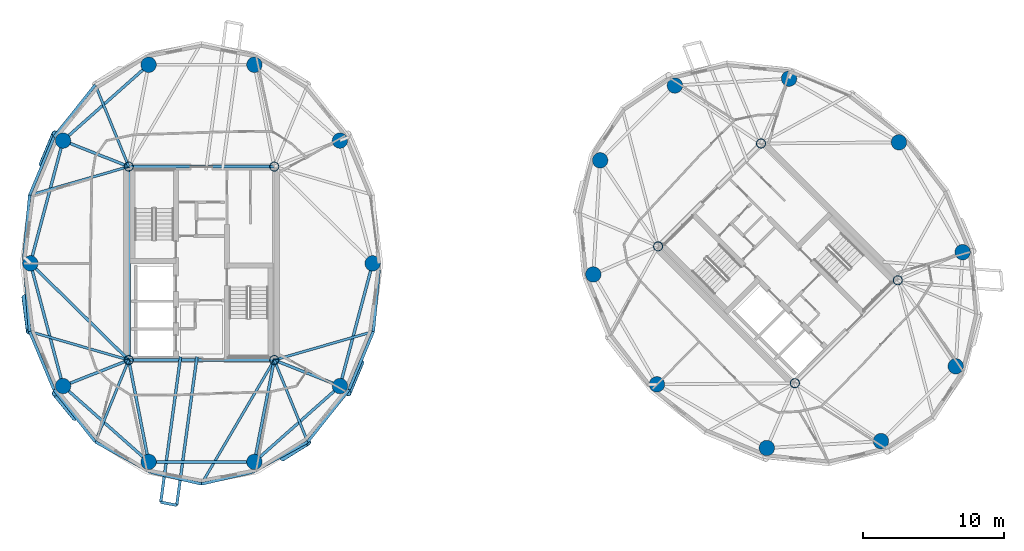
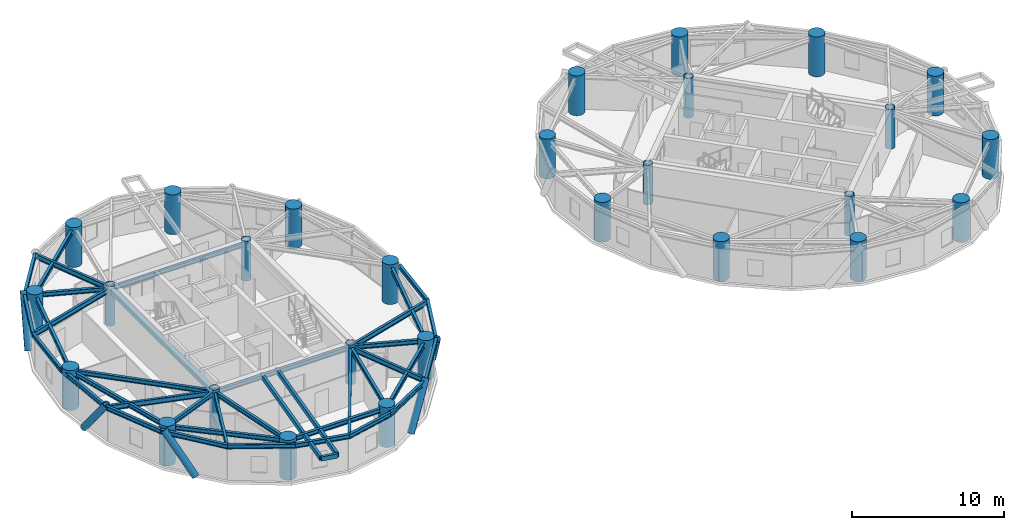
# One storey, part 1 of 15: 39 beams, 28 columns, 5 members.
"""IFC4 building model written with IfcOpenShell, lengths in metres."""

from ifc_helpers import new_model, si_unit, direction, frame, origin, origin_2d, place, context, subcontext, project, spatial, hollow_rectangle, circle, hollow_circle, i_section, extrude, material, material_profile, profile_set, type_object, element, save


model = new_model("IFC4")

# Units and contexts
model_context = context("Model", 3, precision=1e-05, world=origin(), true_north=direction((0.0, 1.0)))
body_context = subcontext(model_context, "Body", "Model", "MODEL_VIEW")
ifc_project = project(units=[si_unit("LENGTHUNIT", "METRE"), si_unit("AREAUNIT", "SQUARE_METRE"), si_unit("VOLUMEUNIT", "CUBIC_METRE"), si_unit("PLANEANGLEUNIT", "RADIAN"), si_unit("MASSUNIT", "GRAM", prefix="KILO")], contexts=[model_context])

# Site, building, storey
site_placement = place(None, origin())
site = spatial("IfcSite", under=ifc_project, at=site_placement, CompositionType="ELEMENT")
building_placement = place(site_placement, origin())
building = spatial("IfcBuilding", under=site, at=building_placement, Name="Cununo Teusaquillo Station Towers", CompositionType="ELEMENT")
storey_placement = place(building_placement, frame((0.0, 0.0, 229.25)))
storey = spatial("IfcBuildingStorey", under=building, at=storey_placement, Name="L73", CompositionType="ELEMENT", Elevation=229.25)

# Columns
ifc_material_1 = material(Name="Steel EN 10025-2 S355J2", Category="steel")
ifc_material_profile_1 = material_profile(ifc_material_1, hollow_circle(Radius=0.330078125, WallThickness=0.02490234375, at=origin_2d()), Name="CHS 660x25")
ifc_profile_set_1 = profile_set([ifc_material_profile_1], Name="Steel EN 10025-2 S355J2")
column_type_1 = type_object("IfcColumnType", Name="COL-CORE-Z3", PredefinedType="COLUMN", material=ifc_profile_set_1)
for number, where, z_axis, x_axis, name in (
    (1, (11.324951171875, 17.6201171875, 0.0), (0.0, 0.0, 1.0), (1.0, 0.0, 0.0), "L73 Tower A Core Column 1"),
    (2, (11.324951171875, 31.3798828125, 0.0), (0.0, 0.0, 1.0), (1.0, 0.0, 0.0), "L73 Tower A Core Column 2"),
    (3, (21.675048828125, 17.6201171875, 0.0), (0.0, 0.0, 1.0), (1.0, 0.0, 0.0), "L73 Tower A Core Column 3"),
    (4, (21.675048828125, 31.3798828125, 0.0), (0.0, 0.0, 1.0), (1.0, 0.0, 0.0), "L73 Tower A Core Column 4"),
    (5, (58.70556640625, 15.975830078125, 0.0), (0.0, 0.0, 1.0), (0.707106781187, 0.707106781187, 0.0), "L73 Tower B Core Column 1"),
    (6, (48.975830078125, 25.70556640625, 0.0), (0.0, 0.0, 1.0), (0.707106781187, 0.707106781187, 0.0), "L73 Tower B Core Column 2"),
    (7, (66.024169921875, 23.29443359375, 0.0), (0.0, 0.0, 1.0), (0.707106781187, 0.707106781187, 0.0), "L73 Tower B Core Column 3"),
    (8, (56.29443359375, 33.024169921875, 0.0), (0.0, 0.0, 1.0), (0.707106781187, 0.707106781187, 0.0), "L73 Tower B Core Column 4"),
):
    element("IfcColumn", number, at=place(storey_placement, frame(where, z_axis=z_axis, x_axis=x_axis)), inside=storey, type_object=column_type_1, Name=name, PredefinedType="COLUMN", context=body_context, shape_type="SweptSolid", body=[
        extrude(hollow_circle(Radius=0.330078125, WallThickness=0.02490234375, at=origin_2d()), origin(), (0.0, 0.0, 1.0), 3.199951171875),
    ])
ifc_material_2 = material(Name="Concrete C50/60", Category="concrete")
ifc_material_profile_2 = material_profile(ifc_material_2, circle(Radius=0.550048828125, at=origin_2d()), Name="RC-CIRC-1100")
ifc_profile_set_2 = profile_set([ifc_material_profile_2], Name="Concrete C50/60")
column_type_2 = type_object("IfcColumnType", Name="COL-MEGA-Z4", PredefinedType="USERDEFINED", material=ifc_profile_set_2)
for number, where, z_axis, x_axis, name in (
    (9, (28.672119140625, 24.5, 0.0), (0.0, 0.0, 1.0), (1.0, 0.0, 0.0), "L73 Tower A Perimeter Column V00"),
    (10, (26.347412109375, 33.228515625, 0.0), (0.0, 0.0, 1.0), (1.0, 0.0, 0.0), "L73 Tower A Perimeter Column V02"),
    (11, (20.261474609375, 38.623291015625, 0.0), (0.0, 0.0, 1.0), (1.0, 0.0, 0.0), "L73 Tower A Perimeter Column V04"),
    (12, (12.738525390625, 38.623291015625, 0.0), (0.0, 0.0, 1.0), (1.0, 0.0, 0.0), "L73 Tower A Perimeter Column V06"),
    (13, (6.652587890625, 33.228515625, 0.0), (0.0, 0.0, 1.0), (1.0, 0.0, 0.0), "L73 Tower A Perimeter Column V08"),
    (14, (4.327880859375, 24.5, 0.0), (0.0, 0.0, 1.0), (1.0, 0.0, 0.0), "L73 Tower A Perimeter Column V10"),
    (15, (6.652587890625, 15.771484375, 0.0), (0.0, 0.0, 1.0), (1.0, 0.0, 0.0), "L73 Tower A Perimeter Column V12"),
    (16, (12.738525390625, 10.376708984375, 0.0), (0.0, 0.0, 1.0), (1.0, 0.0, 0.0), "L73 Tower A Perimeter Column V14"),
    (17, (20.261474609375, 10.376708984375, 0.0), (0.0, 0.0, 1.0), (1.0, 0.0, 0.0), "L73 Tower A Perimeter Column V16"),
    (18, (26.347412109375, 15.771484375, 0.0), (0.0, 0.0, 1.0), (1.0, 0.0, 0.0), "L73 Tower A Perimeter Column V18"),
    (19, (66.10693359375, 33.10693359375, 0.0), (0.0, 0.0, 1.0), (1.0, 0.0, 0.0), "L73 Tower B Perimeter Column V00"),
    (20, (58.291015625, 37.63525390625, 0.0), (0.0, 0.0, 1.0), (1.0, 0.0, 0.0), "L73 Tower B Perimeter Column V02"),
    (21, (50.173095703125, 37.146240234375, 0.0), (0.0, 0.0, 1.0), (1.0, 0.0, 0.0), "L73 Tower B Perimeter Column V04"),
    (22, (44.853759765625, 31.826904296875, 0.0), (0.0, 0.0, 1.0), (1.0, 0.0, 0.0), "L73 Tower B Perimeter Column V06"),
    (23, (44.36474609375, 23.708984375, 0.0), (0.0, 0.0, 1.0), (1.0, 0.0, 0.0), "L73 Tower B Perimeter Column V08"),
    (24, (48.89306640625, 15.89306640625, 0.0), (0.0, 0.0, 1.0), (1.0, 0.0, 0.0), "L73 Tower B Perimeter Column V10"),
    (25, (56.708984375, 11.36474609375, 0.0), (0.0, 0.0, 1.0), (1.0, 0.0, 0.0), "L73 Tower B Perimeter Column V12"),
    (26, (64.826904296875, 11.853759765625, 0.0), (0.0, 0.0, 1.0), (1.0, 0.0, 0.0), "L73 Tower B Perimeter Column V14"),
    (27, (70.146240234375, 17.173095703125, 0.0), (0.0, 0.0, 1.0), (1.0, 0.0, 0.0), "L73 Tower B Perimeter Column V16"),
    (28, (70.63525390625, 25.291015625, 0.0), (0.0, 0.0, 1.0), (1.0, 0.0, 0.0), "L73 Tower B Perimeter Column V18"),
):
    element("IfcColumn", number, at=place(storey_placement, frame(where, z_axis=z_axis, x_axis=x_axis)), inside=storey, type_object=column_type_2, Name=name, ObjectType="MEGA COLUMN", PredefinedType="USERDEFINED", context=body_context, shape_type="SweptSolid", body=[
        extrude(circle(Radius=0.550048828125, at=origin_2d()), origin(), (0.0, 0.0, 1.0), 3.199951171875),
    ])

# Beams
ifc_material_3 = material(Name="Steel EN 10025-2 S355J2", Category="steel")
ifc_material_profile_3 = material_profile(ifc_material_3, hollow_rectangle(XDim=0.199951171875, YDim=0.35009765625, WallThickness=0.013916015625, at=origin_2d()), Name="RHS 350x200x14")
ifc_profile_set_3 = profile_set([ifc_material_profile_3], Name="Steel EN 10025-2 S355J2")
beam_type_1 = type_object("IfcBeamType", Name="BM-BAL-CANT", PredefinedType="BEAM", material=ifc_profile_set_3)
beam_1_placement = place(storey_placement, frame((15.0107421875, 17.85009765625, 2.81494140625), z_axis=(-0.135018196505, -0.990843119072, 0.0), x_axis=(0.990843119072, -0.135018196505, 0.0)))
element("IfcBeam", 29, at=beam_1_placement, inside=storey, type_object=beam_type_1, Name="L73 Tower A Balcony Cantilever Bracket 2A", PredefinedType="BEAM", context=body_context, shape_type="SweptSolid", body=[
    extrude(hollow_rectangle(XDim=0.199951171875, YDim=0.35009765625, WallThickness=0.013916015625, at=origin_2d()), origin(), (0.0, 0.0, 1.0), 10.43505859375),
])
beam_2_placement = place(storey_placement, frame((16.177001953125, 17.85009765625, 2.81494140625), z_axis=(-0.135006880627, -0.990844660975, 0.0), x_axis=(0.990844660975, -0.135006880627, 0.0)))
element("IfcBeam", 30, at=beam_2_placement, inside=storey, type_object=beam_type_1, Name="L73 Tower A Balcony Cantilever Bracket 2B", PredefinedType="BEAM", context=body_context, shape_type="SweptSolid", body=[
    extrude(hollow_rectangle(XDim=0.199951171875, YDim=0.35009765625, WallThickness=0.013916015625, at=origin_2d()), origin(), (0.0, 0.0, 1.0), 10.65673828125),
])
ifc_material_4 = material(Name="Steel EN 10025-2 S355J2", Category="steel")
ifc_material_profile_4 = material_profile(ifc_material_4, hollow_rectangle(XDim=0.25, YDim=0.449951171875, WallThickness=0.01611328125, at=origin_2d()), Name="RHS 450x250x16")
ifc_profile_set_4 = profile_set([ifc_material_profile_4], Name="Steel EN 10025-2 S355J2")
beam_type_2 = type_object("IfcBeamType", Name="BM-COUP-1", PredefinedType="USERDEFINED", material=ifc_profile_set_4)
beam_3_placement = place(storey_placement, frame((11.324951171875, 17.6201171875, 2.764892578125), z_axis=(0.0, 1.0, 0.0), x_axis=(-1.0, 0.0, 0.0)))
element("IfcBeam", 31, at=beam_3_placement, inside=storey, type_object=beam_type_2, Name="L73 Tower A Core Beam 1", ObjectType="COUPLING BEAM", PredefinedType="USERDEFINED", context=body_context, shape_type="SweptSolid", body=[
    extrude(hollow_rectangle(XDim=0.25, YDim=0.449951171875, WallThickness=0.01611328125, at=origin_2d()), origin(), (0.0, 0.0, 1.0), 13.759765625),
])
ifc_material_5 = material(Name="Steel ASTM A572 Grade 50", Category="steel")
ifc_material_profile_5 = material_profile(ifc_material_5, i_section(OverallWidth=0.180908203125, OverallDepth=0.4169921875, WebThickness=0.010986328125, FlangeThickness=0.018310546875, FilletRadius=0.012939453125, at=origin_2d()), Name="W16X57")
ifc_profile_set_5 = profile_set([ifc_material_profile_5], Name="Steel ASTM A572 Grade 50")
beam_type_3 = type_object("IfcBeamType", Name="BM-JOIST-1", PredefinedType="JOIST", material=ifc_profile_set_5)
beam_4_placement = place(storey_placement, frame((11.324951171875, 31.3798828125, 2.781494140625), z_axis=(-0.378576847217, 0.925569862707, 0.0), x_axis=(-0.925569862707, -0.378576847217, 0.0)))
element("IfcBeam", 32, at=beam_4_placement, inside=storey, type_object=beam_type_3, Name="L73 Tower A Radial Spandrel Joist V07", PredefinedType="JOIST", context=body_context, shape_type="SweptSolid", body=[
    extrude(i_section(OverallWidth=0.180908203125, OverallDepth=0.4169921875, WebThickness=0.010986328125, FlangeThickness=0.018310546875, FilletRadius=0.012939453125, at=origin_2d()), origin(), (0.0, 0.0, 1.0), 6.28125),
])
for number, where, z_axis, x_axis, name in (
    (33, (11.324951171875, 31.3798828125, 2.781494140625), (-0.960861603375, -0.277028841748, 0.0), (0.277028841748, -0.960861603375, 0.0), "L73 Tower A Radial Spandrel Joist V09"),
    (34, (11.324951171875, 17.6201171875, 2.781494140625), (-0.960861603375, 0.277028841748, 0.0), (-0.277028841748, -0.960861603375, 0.0), "L73 Tower A Radial Spandrel Joist V11"),
):
    element("IfcBeam", number, at=place(storey_placement, frame(where, z_axis=z_axis, x_axis=x_axis)), inside=storey, type_object=beam_type_3, Name=name, PredefinedType="JOIST", context=body_context, shape_type="SweptSolid", body=[
        extrude(i_section(OverallWidth=0.180908203125, OverallDepth=0.4169921875, WebThickness=0.010986328125, FlangeThickness=0.018310546875, FilletRadius=0.012939453125, at=origin_2d()), origin(), (0.0, 0.0, 1.0), 7.333251953125),
    ])
beam_5_placement = place(storey_placement, frame((11.324951171875, 17.6201171875, 2.781494140625), z_axis=(-0.378576847217, -0.925569862707, 0.0), x_axis=(0.925569862707, -0.378576847217, 0.0)))
element("IfcBeam", 35, at=beam_5_placement, inside=storey, type_object=beam_type_3, Name="L73 Tower A Radial Spandrel Joist V13", PredefinedType="JOIST", context=body_context, shape_type="SweptSolid", body=[
    extrude(i_section(OverallWidth=0.180908203125, OverallDepth=0.4169921875, WebThickness=0.010986328125, FlangeThickness=0.018310546875, FilletRadius=0.012939453125, at=origin_2d()), origin(), (0.0, 0.0, 1.0), 6.28125),
])
beam_6_placement = place(storey_placement, frame((21.675048828125, 17.6201171875, 2.781494140625), z_axis=(-0.506486432091, -0.862247930765, 0.0), x_axis=(0.862247930765, -0.506486432091, 0.0)))
element("IfcBeam", 36, at=beam_6_placement, inside=storey, type_object=beam_type_3, Name="L73 Tower A Radial Spandrel Joist V15", PredefinedType="JOIST", context=body_context, shape_type="SweptSolid", body=[
    extrude(i_section(OverallWidth=0.180908203125, OverallDepth=0.4169921875, WebThickness=0.010986328125, FlangeThickness=0.018310546875, FilletRadius=0.012939453125, at=origin_2d()), origin(), (0.0, 0.0, 1.0), 10.217529296875),
])
beam_7_placement = place(storey_placement, frame((21.675048828125, 17.6201171875, 2.781494140625), z_axis=(0.378576847217, -0.925569862707, 0.0), x_axis=(0.925569862707, 0.378576847217, 0.0)))
element("IfcBeam", 37, at=beam_7_placement, inside=storey, type_object=beam_type_3, Name="L73 Tower A Radial Spandrel Joist V17", PredefinedType="JOIST", context=body_context, shape_type="SweptSolid", body=[
    extrude(i_section(OverallWidth=0.180908203125, OverallDepth=0.4169921875, WebThickness=0.010986328125, FlangeThickness=0.018310546875, FilletRadius=0.012939453125, at=origin_2d()), origin(), (0.0, 0.0, 1.0), 6.28125),
])
beam_8_placement = place(storey_placement, frame((21.675048828125, 17.6201171875, 2.781494140625), z_axis=(0.960861603375, 0.277028841748, 0.0), x_axis=(-0.277028841748, 0.960861603375, 0.0)))
element("IfcBeam", 38, at=beam_8_placement, inside=storey, type_object=beam_type_3, Name="L73 Tower A Radial Spandrel Joist V19", PredefinedType="JOIST", context=body_context, shape_type="SweptSolid", body=[
    extrude(i_section(OverallWidth=0.180908203125, OverallDepth=0.4169921875, WebThickness=0.010986328125, FlangeThickness=0.018310546875, FilletRadius=0.012939453125, at=origin_2d()), origin(), (0.0, 0.0, 1.0), 7.333251953125),
])
ifc_material_6 = material(Name="Steel ASTM A572 Grade 50", Category="steel")
ifc_material_profile_6 = material_profile(ifc_material_6, i_section(OverallWidth=0.2041015625, OverallDepth=0.35009765625, WebThickness=0.008544921875, FlangeThickness=0.01513671875, FilletRadius=0.011962890625, at=origin_2d()), Name="W14X48")
ifc_profile_set_6 = profile_set([ifc_material_profile_6], Name="Steel ASTM A572 Grade 50")
beam_type_4 = type_object("IfcBeamType", Name="BM-LINTEL-1", PredefinedType="LINTEL", material=ifc_profile_set_6)
for number, where, z_axis, x_axis, name in (
    (39, (11.324951171875, 17.6201171875, 2.81494140625), (1.0, 0.0, 0.0), (0.0, 1.0, 0.0), "L73 Tower A Core Beam 3"),
    (40, (11.324951171875, 31.3798828125, 2.81494140625), (1.0, 0.0, 0.0), (0.0, 1.0, 0.0), "L73 Tower A Core Beam 4"),
):
    element("IfcBeam", number, at=place(storey_placement, frame(where, z_axis=z_axis, x_axis=x_axis)), inside=storey, type_object=beam_type_4, Name=name, PredefinedType="LINTEL", context=body_context, shape_type="SweptSolid", body=[
        extrude(i_section(OverallWidth=0.2041015625, OverallDepth=0.35009765625, WebThickness=0.008544921875, FlangeThickness=0.01513671875, FilletRadius=0.011962890625, at=origin_2d()), origin(), (0.0, 0.0, 1.0), 10.35009765625),
    ])
ifc_material_7 = material(Name="Steel ASTM A572 Grade 50", Category="steel")
ifc_material_profile_7 = material_profile(ifc_material_7, i_section(OverallWidth=0.2041015625, OverallDepth=0.35009765625, WebThickness=0.008544921875, FlangeThickness=0.01513671875, FilletRadius=0.011962890625, at=origin_2d()), Name="W14X48")
ifc_profile_set_7 = profile_set([ifc_material_profile_7], Name="Steel ASTM A572 Grade 50")
beam_type_5 = type_object("IfcBeamType", Name="BM-RAD-G3", PredefinedType="BEAM", material=ifc_profile_set_7)
beam_9_placement = place(storey_placement, frame((11.324951171875, 31.3798828125, 2.81494140625), z_axis=(-0.929851670487, 0.36793460138, 0.0), x_axis=(-0.36793460138, -0.929851670487, 0.0)))
element("IfcBeam", 41, at=beam_9_placement, inside=storey, type_object=beam_type_5, Name="L73 Tower A Continuous Overhanging Radial Girder 05", PredefinedType="BEAM", context=body_context, shape_type="SweptSolid", body=[
    extrude(i_section(OverallWidth=0.2041015625, OverallDepth=0.35009765625, WebThickness=0.008544921875, FlangeThickness=0.01513671875, FilletRadius=0.011962890625, at=origin_2d()), origin(), (0.0, 0.0, 1.0), 5.71630859375),
])
beam_10_placement = place(storey_placement, frame((11.324951171875, 17.6201171875, 2.81494140625), z_axis=(-0.713052701438, 0.701110437073, 0.0), x_axis=(-0.701110437073, -0.713052701438, 0.0)))
element("IfcBeam", 42, at=beam_10_placement, inside=storey, type_object=beam_type_5, Name="L73 Tower A Radial Girder 06A", PredefinedType="BEAM", context=body_context, shape_type="SweptSolid", body=[
    extrude(i_section(OverallWidth=0.2041015625, OverallDepth=0.35009765625, WebThickness=0.008544921875, FlangeThickness=0.01513671875, FilletRadius=0.011962890625, at=origin_2d()), origin(), (0.0, 0.0, 1.0), 9.812744140625),
])
beam_11_placement = place(storey_placement, frame((11.324951171875, 17.6201171875, 2.81494140625), z_axis=(-0.929851670487, -0.36793460138, 0.0), x_axis=(0.36793460138, -0.929851670487, 0.0)))
element("IfcBeam", 43, at=beam_11_placement, inside=storey, type_object=beam_type_5, Name="L73 Tower A Continuous Overhanging Radial Girder 07", PredefinedType="BEAM", context=body_context, shape_type="SweptSolid", body=[
    extrude(i_section(OverallWidth=0.2041015625, OverallDepth=0.35009765625, WebThickness=0.008544921875, FlangeThickness=0.01513671875, FilletRadius=0.011962890625, at=origin_2d()), origin(), (0.0, 0.0, 1.0), 5.71630859375),
])
for number, where, z_axis, x_axis, name in (
    (44, (11.324951171875, 17.6201171875, 2.81494140625), (0.191548487699, -0.981483151593, 0.0), (0.981483151593, 0.191548487699, 0.0), "L73 Tower A Continuous Overhanging Radial Girder 08"),
    (45, (21.675048828125, 17.6201171875, 2.81494140625), (-0.191548487699, -0.981483151593, 0.0), (0.981483151593, -0.191548487699, 0.0), "L73 Tower A Continuous Overhanging Radial Girder 09"),
):
    element("IfcBeam", number, at=place(storey_placement, frame(where, z_axis=z_axis, x_axis=x_axis)), inside=storey, type_object=beam_type_5, Name=name, PredefinedType="BEAM", context=body_context, shape_type="SweptSolid", body=[
        extrude(i_section(OverallWidth=0.2041015625, OverallDepth=0.35009765625, WebThickness=0.008544921875, FlangeThickness=0.01513671875, FilletRadius=0.011962890625, at=origin_2d()), origin(), (0.0, 0.0, 1.0), 8.1240234375),
    ])
beam_12_placement = place(storey_placement, frame((21.675048828125, 17.6201171875, 2.81494140625), z_axis=(0.929851670487, -0.36793460138, 0.0), x_axis=(0.36793460138, 0.929851670487, 0.0)))
element("IfcBeam", 46, at=beam_12_placement, inside=storey, type_object=beam_type_5, Name="L73 Tower A Continuous Overhanging Radial Girder 10", PredefinedType="BEAM", context=body_context, shape_type="SweptSolid", body=[
    extrude(i_section(OverallWidth=0.2041015625, OverallDepth=0.35009765625, WebThickness=0.008544921875, FlangeThickness=0.01513671875, FilletRadius=0.011962890625, at=origin_2d()), origin(), (0.0, 0.0, 1.0), 5.71630859375),
])
ifc_material_8 = material(Name="Steel ASTM A572 Grade 50", Category="steel")
ifc_material_profile_8 = material_profile(ifc_material_8, i_section(OverallWidth=0.2041015625, OverallDepth=0.35009765625, WebThickness=0.008544921875, FlangeThickness=0.01513671875, FilletRadius=0.011962890625, at=origin_2d()), Name="W14X48")
ifc_profile_set_8 = profile_set([ifc_material_profile_8], Name="Steel ASTM A572 Grade 50")
beam_type_6 = type_object("IfcBeamType", Name="BM-RING-Z4", PredefinedType="SPANDREL", material=ifc_profile_set_8)
beam_13_placement = place(storey_placement, frame((12.738525390625, 38.623291015625, 2.81494140625), z_axis=(-0.74832120039, -0.66333655187, 0.0), x_axis=(0.66333655187, -0.74832120039, 0.0)))
element("IfcBeam", 47, at=beam_13_placement, inside=storey, type_object=beam_type_6, Name="L73 Tower A Structural Column Ring Girder 04", PredefinedType="SPANDREL", context=body_context, shape_type="SweptSolid", body=[
    extrude(i_section(OverallWidth=0.2041015625, OverallDepth=0.35009765625, WebThickness=0.008544921875, FlangeThickness=0.01513671875, FilletRadius=0.011962890625, at=origin_2d()), origin(), (0.0, 0.0, 1.0), 8.1328125),
])
for number, where, z_axis, x_axis, name in (
    (48, (6.652587890625, 33.228515625, 2.81494140625), (-0.257363196347, -0.966314744359, 0.0), (0.966314744359, -0.257363196347, 0.0), "L73 Tower A Structural Column Ring Girder 05"),
    (49, (4.327880859375, 24.5, 2.81494140625), (0.257363196347, -0.966314744359, 0.0), (0.966314744359, 0.257363196347, 0.0), "L73 Tower A Structural Column Ring Girder 06"),
):
    element("IfcBeam", number, at=place(storey_placement, frame(where, z_axis=z_axis, x_axis=x_axis)), inside=storey, type_object=beam_type_6, Name=name, PredefinedType="SPANDREL", context=body_context, shape_type="SweptSolid", body=[
        extrude(i_section(OverallWidth=0.2041015625, OverallDepth=0.35009765625, WebThickness=0.008544921875, FlangeThickness=0.01513671875, FilletRadius=0.011962890625, at=origin_2d()), origin(), (0.0, 0.0, 1.0), 9.03271484375),
    ])
beam_14_placement = place(storey_placement, frame((6.652587890625, 15.771484375, 2.81494140625), z_axis=(0.74832120039, -0.66333655187, 0.0), x_axis=(0.66333655187, 0.74832120039, 0.0)))
element("IfcBeam", 50, at=beam_14_placement, inside=storey, type_object=beam_type_6, Name="L73 Tower A Structural Column Ring Girder 07", PredefinedType="SPANDREL", context=body_context, shape_type="SweptSolid", body=[
    extrude(i_section(OverallWidth=0.2041015625, OverallDepth=0.35009765625, WebThickness=0.008544921875, FlangeThickness=0.01513671875, FilletRadius=0.011962890625, at=origin_2d()), origin(), (0.0, 0.0, 1.0), 8.1328125),
])
beam_15_placement = place(storey_placement, frame((12.738525390625, 10.376708984375, 2.81494140625), z_axis=(1.0, 0.0, 0.0), x_axis=(0.0, 1.0, 0.0)))
element("IfcBeam", 51, at=beam_15_placement, inside=storey, type_object=beam_type_6, Name="L73 Tower A Structural Column Ring Girder 08", PredefinedType="SPANDREL", context=body_context, shape_type="SweptSolid", body=[
    extrude(i_section(OverallWidth=0.2041015625, OverallDepth=0.35009765625, WebThickness=0.008544921875, FlangeThickness=0.01513671875, FilletRadius=0.011962890625, at=origin_2d()), origin(), (0.0, 0.0, 1.0), 7.52294921875),
])
beam_16_placement = place(storey_placement, frame((20.261474609375, 10.376708984375, 2.81494140625), z_axis=(0.74832120039, 0.66333655187, 0.0), x_axis=(-0.66333655187, 0.74832120039, 0.0)))
element("IfcBeam", 52, at=beam_16_placement, inside=storey, type_object=beam_type_6, Name="L73 Tower A Structural Column Ring Girder 09", PredefinedType="SPANDREL", context=body_context, shape_type="SweptSolid", body=[
    extrude(i_section(OverallWidth=0.2041015625, OverallDepth=0.35009765625, WebThickness=0.008544921875, FlangeThickness=0.01513671875, FilletRadius=0.011962890625, at=origin_2d()), origin(), (0.0, 0.0, 1.0), 8.1328125),
])
beam_17_placement = place(storey_placement, frame((26.347412109375, 15.771484375, 2.81494140625), z_axis=(0.257363196347, 0.966314744359, 0.0), x_axis=(-0.966314744359, 0.257363196347, 0.0)))
element("IfcBeam", 53, at=beam_17_placement, inside=storey, type_object=beam_type_6, Name="L73 Tower A Structural Column Ring Girder 10", PredefinedType="SPANDREL", context=body_context, shape_type="SweptSolid", body=[
    extrude(i_section(OverallWidth=0.2041015625, OverallDepth=0.35009765625, WebThickness=0.008544921875, FlangeThickness=0.01513671875, FilletRadius=0.011962890625, at=origin_2d()), origin(), (0.0, 0.0, 1.0), 9.03271484375),
])
beam_18_placement = place(storey_placement, frame((8.947021484375, 37.193603515625, 2.81494140625), z_axis=(-0.620710872531, -0.784039547932, 0.0), x_axis=(0.784039547932, -0.620710872531, 0.0)))
element("IfcBeam", 54, at=beam_18_placement, inside=storey, type_object=beam_type_6, Name="L73 Tower A Spandrel Ring Beam 08", PredefinedType="SPANDREL", context=body_context, shape_type="SweptSolid", body=[
    extrude(i_section(OverallWidth=0.2041015625, OverallDepth=0.35009765625, WebThickness=0.008544921875, FlangeThickness=0.01513671875, FilletRadius=0.011962890625, at=origin_2d()), origin(), (0.0, 0.0, 1.0), 4.732421875),
])
beam_19_placement = place(storey_placement, frame((6.009521484375, 33.483154296875, 2.81494140625), z_axis=(-0.386115454066, -0.922450462698, 0.0), x_axis=(0.922450462698, -0.386115454066, 0.0)))
element("IfcBeam", 55, at=beam_19_placement, inside=storey, type_object=beam_type_6, Name="L73 Tower A Spandrel Ring Beam 09", PredefinedType="SPANDREL", context=body_context, shape_type="SweptSolid", body=[
    extrude(i_section(OverallWidth=0.2041015625, OverallDepth=0.35009765625, WebThickness=0.008544921875, FlangeThickness=0.01513671875, FilletRadius=0.011962890625, at=origin_2d()), origin(), (0.0, 0.0, 1.0), 4.482421875),
])
beam_20_placement = place(storey_placement, frame((4.27880859375, 29.348388671875, 2.81494140625), z_axis=(-0.093902932611, -0.995581357422, 0.0), x_axis=(0.995581357422, -0.093902932611, 0.0)))
element("IfcBeam", 56, at=beam_20_placement, inside=storey, type_object=beam_type_6, Name="L73 Tower A Spandrel Ring Beam 10", PredefinedType="SPANDREL", context=body_context, shape_type="SweptSolid", body=[
    extrude(i_section(OverallWidth=0.2041015625, OverallDepth=0.35009765625, WebThickness=0.008544921875, FlangeThickness=0.01513671875, FilletRadius=0.011962890625, at=origin_2d()), origin(), (0.0, 0.0, 1.0), 4.412109375),
])
beam_21_placement = place(storey_placement, frame((3.864501953125, 24.955810546875, 2.81494140625), z_axis=(0.077871988965, -0.996963366095, 0.0), x_axis=(0.996963366095, 0.077871988965, 0.0)))
element("IfcBeam", 57, at=beam_21_placement, inside=storey, type_object=beam_type_6, Name="L73 Tower A Spandrel Ring Beam 11", PredefinedType="SPANDREL", context=body_context, shape_type="SweptSolid", body=[
    extrude(i_section(OverallWidth=0.2041015625, OverallDepth=0.35009765625, WebThickness=0.008544921875, FlangeThickness=0.01513671875, FilletRadius=0.011962890625, at=origin_2d()), origin(), (0.0, 0.0, 1.0), 5.3203125),
])
beam_22_placement = place(storey_placement, frame((4.27880859375, 19.651611328125, 2.81494140625), z_axis=(0.386115454066, -0.922450462698, 0.0), x_axis=(0.922450462698, 0.386115454066, 0.0)))
element("IfcBeam", 58, at=beam_22_placement, inside=storey, type_object=beam_type_6, Name="L73 Tower A Spandrel Ring Beam 12", PredefinedType="SPANDREL", context=body_context, shape_type="SweptSolid", body=[
    extrude(i_section(OverallWidth=0.2041015625, OverallDepth=0.35009765625, WebThickness=0.008544921875, FlangeThickness=0.01513671875, FilletRadius=0.011962890625, at=origin_2d()), origin(), (0.0, 0.0, 1.0), 4.482421875),
])
beam_23_placement = place(storey_placement, frame((6.009521484375, 15.516845703125, 2.81494140625), z_axis=(0.620710872531, -0.784039547932, 0.0), x_axis=(0.784039547932, 0.620710872531, 0.0)))
element("IfcBeam", 59, at=beam_23_placement, inside=storey, type_object=beam_type_6, Name="L73 Tower A Spandrel Ring Beam 13", PredefinedType="SPANDREL", context=body_context, shape_type="SweptSolid", body=[
    extrude(i_section(OverallWidth=0.2041015625, OverallDepth=0.35009765625, WebThickness=0.008544921875, FlangeThickness=0.01513671875, FilletRadius=0.011962890625, at=origin_2d()), origin(), (0.0, 0.0, 1.0), 4.732421875),
])
beam_24_placement = place(storey_placement, frame((8.947021484375, 11.806396484375, 2.81494140625), z_axis=(0.876576300909, -0.481262910149, 0.0), x_axis=(0.481262910149, 0.876576300909, 0.0)))
element("IfcBeam", 60, at=beam_24_placement, inside=storey, type_object=beam_type_6, Name="L73 Tower A Spandrel Ring Beam 14", PredefinedType="SPANDREL", context=body_context, shape_type="SweptSolid", body=[
    extrude(i_section(OverallWidth=0.2041015625, OverallDepth=0.35009765625, WebThickness=0.008544921875, FlangeThickness=0.01513671875, FilletRadius=0.011962890625, at=origin_2d()), origin(), (0.0, 0.0, 1.0), 4.488037109375),
])
for number, where, z_axis, x_axis, name in (
    (61, (12.881103515625, 9.646484375, 2.81494140625), (0.97431470066, -0.225190728224, 0.0), (0.225190728224, 0.97431470066, 0.0), "L73 Tower A Spandrel Ring Beam 15"),
    (62, (16.5, 8.81005859375, 2.81494140625), (0.97431470066, 0.225190728224, 0.0), (-0.225190728224, 0.97431470066, 0.0), "L73 Tower A Spandrel Ring Beam 16"),
):
    element("IfcBeam", number, at=place(storey_placement, frame(where, z_axis=z_axis, x_axis=x_axis)), inside=storey, type_object=beam_type_6, Name=name, PredefinedType="SPANDREL", context=body_context, shape_type="SweptSolid", body=[
        extrude(i_section(OverallWidth=0.2041015625, OverallDepth=0.35009765625, WebThickness=0.008544921875, FlangeThickness=0.01513671875, FilletRadius=0.011962890625, at=origin_2d()), origin(), (0.0, 0.0, 1.0), 3.71435546875),
    ])
beam_25_placement = place(storey_placement, frame((20.118896484375, 9.646484375, 2.81494140625), z_axis=(0.876576300909, 0.481262910149, 0.0), x_axis=(-0.481262910149, 0.876576300909, 0.0)))
element("IfcBeam", 63, at=beam_25_placement, inside=storey, type_object=beam_type_6, Name="L73 Tower A Spandrel Ring Beam 17", PredefinedType="SPANDREL", context=body_context, shape_type="SweptSolid", body=[
    extrude(i_section(OverallWidth=0.2041015625, OverallDepth=0.35009765625, WebThickness=0.008544921875, FlangeThickness=0.01513671875, FilletRadius=0.011962890625, at=origin_2d()), origin(), (0.0, 0.0, 1.0), 4.488037109375),
])
beam_26_placement = place(storey_placement, frame((24.052978515625, 11.806396484375, 2.81494140625), z_axis=(0.620710872531, 0.784039547932, 0.0), x_axis=(-0.784039547932, 0.620710872531, 0.0)))
element("IfcBeam", 64, at=beam_26_placement, inside=storey, type_object=beam_type_6, Name="L73 Tower A Spandrel Ring Beam 18", PredefinedType="SPANDREL", context=body_context, shape_type="SweptSolid", body=[
    extrude(i_section(OverallWidth=0.2041015625, OverallDepth=0.35009765625, WebThickness=0.008544921875, FlangeThickness=0.01513671875, FilletRadius=0.011962890625, at=origin_2d()), origin(), (0.0, 0.0, 1.0), 4.732421875),
])
beam_27_placement = place(storey_placement, frame((26.990478515625, 15.516845703125, 2.81494140625), z_axis=(0.386115454066, 0.922450462698, 0.0), x_axis=(-0.922450462698, 0.386115454066, 0.0)))
element("IfcBeam", 65, at=beam_27_placement, inside=storey, type_object=beam_type_6, Name="L73 Tower A Spandrel Ring Beam 19", PredefinedType="SPANDREL", context=body_context, shape_type="SweptSolid", body=[
    extrude(i_section(OverallWidth=0.2041015625, OverallDepth=0.35009765625, WebThickness=0.008544921875, FlangeThickness=0.01513671875, FilletRadius=0.011962890625, at=origin_2d()), origin(), (0.0, 0.0, 1.0), 4.482421875),
])
beam_28_placement = place(storey_placement, frame((28.72119140625, 19.651611328125, 2.81494140625), z_axis=(0.093902932611, 0.995581357422, 0.0), x_axis=(-0.995581357422, 0.093902932611, 0.0)))
element("IfcBeam", 66, at=beam_28_placement, inside=storey, type_object=beam_type_6, Name="L73 Tower A Spandrel Ring Beam 20", PredefinedType="SPANDREL", context=body_context, shape_type="SweptSolid", body=[
    extrude(i_section(OverallWidth=0.2041015625, OverallDepth=0.35009765625, WebThickness=0.008544921875, FlangeThickness=0.01513671875, FilletRadius=0.011962890625, at=origin_2d()), origin(), (0.0, 0.0, 1.0), 4.412109375),
])
ifc_material_9 = material(Name="Steel EN 10025-2 S355J2", Category="steel")
ifc_material_profile_9 = material_profile(ifc_material_9, hollow_rectangle(XDim=0.199951171875, YDim=0.35009765625, WallThickness=0.013916015625, at=origin_2d()), Name="RHS 350x200x14")
ifc_profile_set_9 = profile_set([ifc_material_profile_9], Name="Steel EN 10025-2 S355J2")
beam_type_7 = type_object("IfcBeamType", Name="BM-STAIR-TRIM", PredefinedType="BEAM", material=ifc_profile_set_9)
beam_29_placement = place(storey_placement, frame((13.601806640625, 7.510498046875, 2.81494140625), z_axis=(0.981857200028, -0.189621830897, 0.0), x_axis=(0.189621830897, 0.981857200028, 0.0)))
element("IfcBeam", 67, at=beam_29_placement, inside=storey, type_object=beam_type_7, Name="L73 Tower A Balcony Edge Trimmer Beam 2", PredefinedType="BEAM", context=body_context, shape_type="SweptSolid", body=[
    extrude(hollow_rectangle(XDim=0.199951171875, YDim=0.35009765625, WallThickness=0.013916015625, at=origin_2d()), origin(), (0.0, 0.0, 1.0), 1.157470703125),
])

# Members
ifc_material_10 = material(Name="Steel EN 10025-2 S355J2", Category="steel")
ifc_material_profile_10 = material_profile(ifc_material_10, hollow_circle(Radius=0.25390625, WallThickness=0.01806640625, at=origin_2d()), Name="CHS 508x18")
ifc_profile_set_10 = profile_set([ifc_material_profile_10], Name="Steel EN 10025-2 S355J2")
member_type = type_object("IfcMemberType", Name="MBR-DIAG-Z4", PredefinedType="BRACE", material=ifc_profile_set_10)
member_1_placement = place(storey_placement, frame((5.19140625, 31.535400390625, -0.139892578125), z_axis=(0.229186377143, 0.549237979254, 0.803623821621), x_axis=(-0.922875628603, 0.385098135713, 0.0)))
element("IfcMember", 68, at=member_1_placement, inside=storey, type_object=member_type, Name="L73 Tower A Folded-Zigzag Diagrid Tube C08", PredefinedType="BRACE", context=body_context, shape_type="SweptSolid", body=[
    extrude(hollow_circle(Radius=0.25390625, WallThickness=0.01806640625, at=origin_2d()), origin(), (0.0, 0.0, 1.0), 3.98193359375),
])
member_2_placement = place(storey_placement, frame((3.964599609375, 22.07568359375, -0.139892578125), z_axis=(0.078030837374, -0.601995481187, 0.794677688783), x_axis=(0.991703685637, 0.128544933368, 0.0)))
element("IfcMember", 69, at=member_2_placement, inside=storey, type_object=member_type, Name="L73 Tower A Folded-Zigzag Diagrid Tube C10", PredefinedType="BRACE", context=body_context, shape_type="SweptSolid", body=[
    extrude(hollow_circle(Radius=0.25390625, WallThickness=0.01806640625, at=origin_2d()), origin(), (0.0, 0.0, 1.0), 4.026611328125),
])
member_3_placement = place(storey_placement, frame((7.525390625, 13.5419921875, -0.139892578125), z_axis=(-0.363713769881, 0.444115628664, 0.818824524532), x_axis=(-0.773661438449, -0.633599225581, 0.0)))
element("IfcMember", 70, at=member_3_placement, inside=storey, type_object=member_type, Name="L73 Tower A Folded-Zigzag Diagrid Tube C12", PredefinedType="BRACE", context=body_context, shape_type="SweptSolid", body=[
    extrude(hollow_circle(Radius=0.25390625, WallThickness=0.01806640625, at=origin_2d()), origin(), (0.0, 0.0, 1.0), 3.907958984375),
])
member_4_placement = place(storey_placement, frame((22.261962890625, 10.692138671875, -0.139892578125), z_axis=(0.46730812708, 0.29072986532, 0.834924703058), x_axis=(-0.528249968439, 0.849088906325, 0.0)))
element("IfcMember", 71, at=member_4_placement, inside=storey, type_object=member_type, Name="L73 Tower A Folded-Zigzag Diagrid Tube C16", PredefinedType="BRACE", context=body_context, shape_type="SweptSolid", body=[
    extrude(hollow_circle(Radius=0.25390625, WallThickness=0.01806640625, at=origin_2d()), origin(), (0.0, 0.0, 1.0), 3.83251953125),
])
member_5_placement = place(storey_placement, frame((27.80859375, 17.464599609375, -0.139892578125), z_axis=(-0.229186377143, -0.549237979254, 0.803623821621), x_axis=(0.922875628603, -0.385098135713, 0.0)))
element("IfcMember", 72, at=member_5_placement, inside=storey, type_object=member_type, Name="L73 Tower A Folded-Zigzag Diagrid Tube C18", PredefinedType="BRACE", context=body_context, shape_type="SweptSolid", body=[
    extrude(hollow_circle(Radius=0.25390625, WallThickness=0.01806640625, at=origin_2d()), origin(), (0.0, 0.0, 1.0), 3.98193359375),
])

save(model, "model.ifc")
